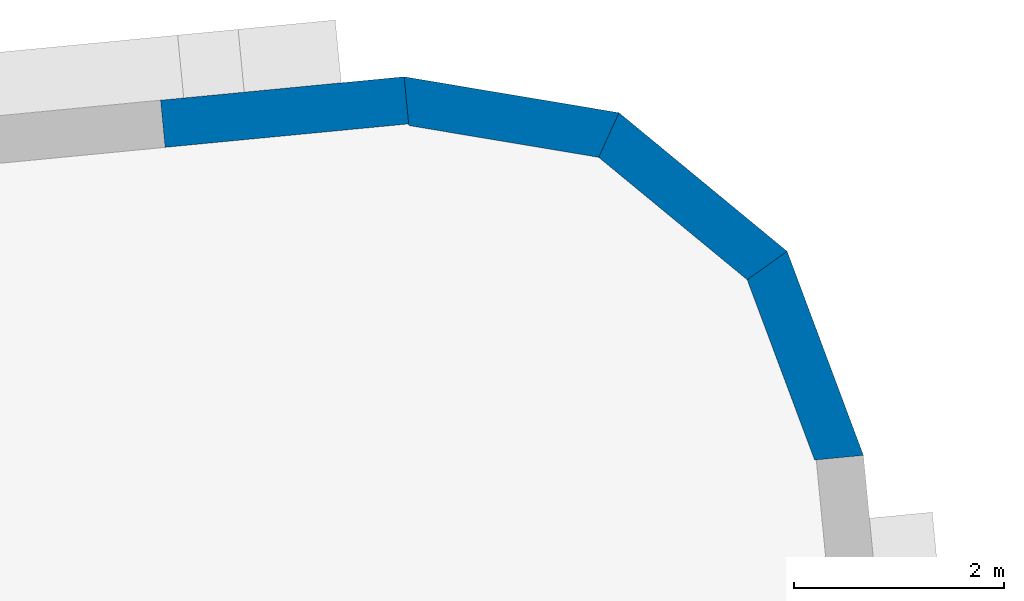
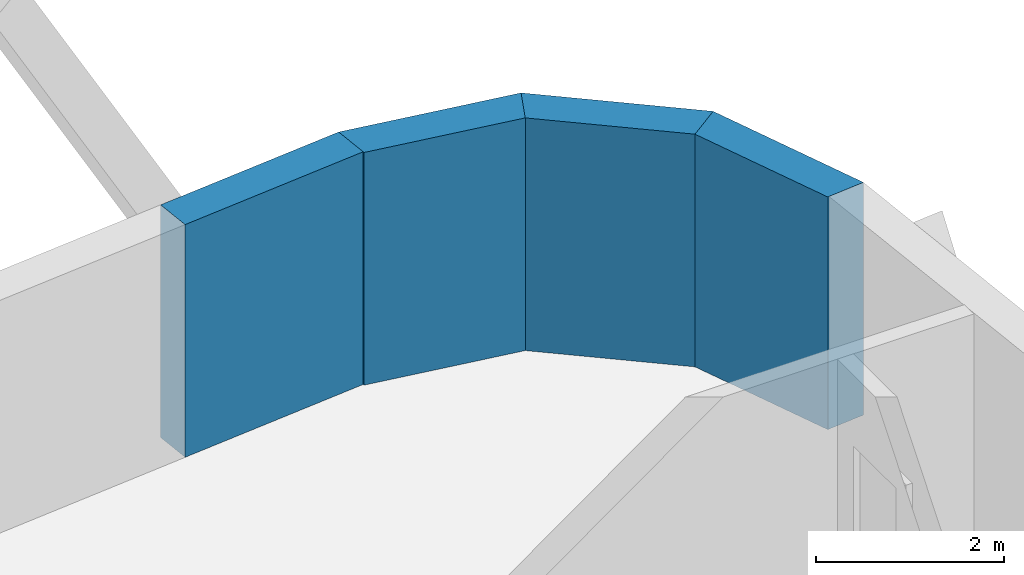
# One storey, part 8 of 13: 4 walls.
"""IFC4 building model written with IfcOpenShell, lengths in metres."""

from ifc_helpers import new_model, si_unit, direction, frame, frame_2d, origin, place, context, subcontext, project, spatial, polyline, rectangle, outline, extrude, material, layer, layer_set, type_object, element, save


model = new_model("IFC4")

# Units and contexts
model_context = context("Model", 3, precision=1e-05, world=origin(), true_north=direction((0.0, 1.0)))
body_context = subcontext(model_context, "Body", "Model", "MODEL_VIEW")
ifc_project = project(units=[si_unit("LENGTHUNIT", "METRE"), si_unit("AREAUNIT", "SQUARE_METRE"), si_unit("VOLUMEUNIT", "CUBIC_METRE"), si_unit("PLANEANGLEUNIT", "RADIAN"), si_unit("MASSUNIT", "GRAM", prefix="KILO")], contexts=[model_context])

# Site, building, storey
site_placement = place(None, origin())
site = spatial("IfcSite", under=ifc_project, at=site_placement, CompositionType="ELEMENT")
building_placement = place(site_placement, origin())
building = spatial("IfcBuilding", under=site, at=building_placement, Name="Kajstack Hotel Tower", CompositionType="ELEMENT")
storey_placement = place(building_placement, frame((0.0, 0.0, 166.89990234375)))
storey = spatial("IfcBuildingStorey", under=building, at=storey_placement, Name="L38", CompositionType="ELEMENT", Elevation=166.89990234375)

# Walls
ifc_material = material(Name="Terracotta-faced brick masonry", Category="masonry")
ifc_layer = layer(ifc_material, 0.449951171875)
ifc_layer_set = layer_set([ifc_layer], Name="EW-TERRA")
wall_type = type_object("IfcWallType", Name="EW-TERRA", PredefinedType="SOLIDWALL", material=ifc_layer_set)
wall_1_placement = place(storey_placement, frame((37.96875, 20.320556640625, 0.0), z_axis=(0.0, 0.0, 1.0), x_axis=(-0.350192909346, 0.936677599948, 0.0)))
element("IfcWall", 1, at=wall_1_placement, inside=storey, type_object=wall_type, Name="E-wall-L38-09-00", PredefinedType="SOLIDWALL", context=body_context, shape_type="SweptSolid", body=[
    extrude(outline(polyline([(0.0, -0.22509765625), (2.070556640625, -0.22509765625), (1.949951171875, 0.22509765625), (0.12060546875, 0.224853515625), (0.0, -0.22509765625)])), origin(), (0.0, 0.0, 1.0), 3.02001953125),
])
wall_2_placement = place(storey_placement, frame((37.311279296875, 22.165283203125, 0.0), z_axis=(0.0, 0.0, 1.0), x_axis=(-0.771651049663, 0.636046112757, 0.0)))
element("IfcWall", 2, at=wall_2_placement, inside=storey, type_object=wall_type, Name="E-wall-L38-10-00", PredefinedType="SOLIDWALL", context=body_context, shape_type="SweptSolid", body=[
    extrude(outline(polyline([(0.0, -0.224853515625), (2.0703125, -0.22509765625), (1.94970703125, 0.224853515625), (0.12060546875, 0.22509765625), (0.0, -0.224853515625)])), origin(), (0.0, 0.0, 1.0), 3.02001953125),
])
wall_3_placement = place(storey_placement, frame((35.819580078125, 23.433837890625, 0.0), z_axis=(0.0, 0.0, 1.0), x_axis=(-0.986278951104, 0.165087342366, 0.0)))
element("IfcWall", 3, at=wall_3_placement, inside=storey, type_object=wall_type, Name="E-wall-L38-11-00", PredefinedType="SOLIDWALL", context=body_context, shape_type="SweptSolid", body=[
    extrude(outline(polyline([(0.0, -0.22509765625), (2.070556640625, -0.224853515625), (1.949951171875, 0.22509765625), (0.12060546875, 0.224853515625), (0.0, -0.22509765625)])), origin(), (0.0, 0.0, 1.0), 3.02001953125),
])
wall_4_placement = place(storey_placement, frame((33.836181640625, 23.7734375, 0.0), z_axis=(0.0, 0.0, 1.0), x_axis=(-0.995405373555, -0.095750416695, 0.0)))
element("IfcWall", 4, at=wall_4_placement, inside=storey, type_object=wall_type, Name="E-wall-L38-12-00", PredefinedType="SOLIDWALL", context=body_context, shape_type="SweptSolid", body=[
    extrude(rectangle(XDim=2.325439453125, YDim=0.449951171875, at=frame_2d((1.16259765625, 0.0))), origin(), (0.0, 0.0, 1.0), 3.02001953125),
])

save(model, "model.ifc")
